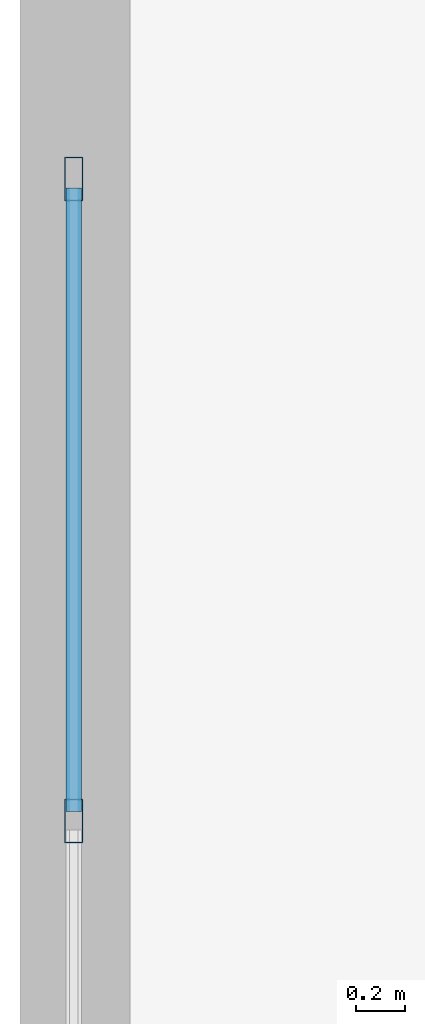
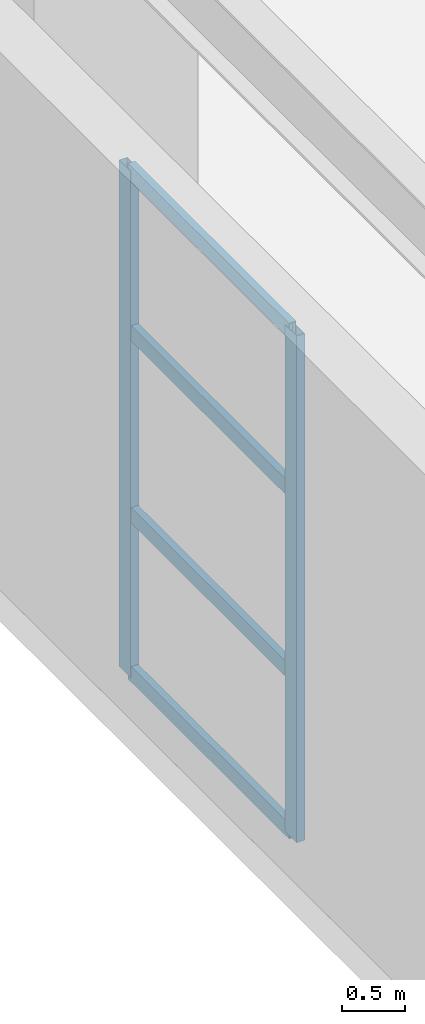
# One storey, part 12 of 34: 6 members, 1 element without a shape of its own.
"""IFC4 building model written with IfcOpenShell, lengths in metres."""

from ifc_helpers import new_model, si_unit, direction, frame, origin, origin_2d, place, context, subcontext, project, spatial, hollow_rectangle, extrude, material, layer, layer_set, material_profile, profile_set, type_object, element, aggregate, save


model = new_model("IFC4")

# Units and contexts
model_context = context("Model", 3, precision=1e-05, world=origin(), true_north=direction((0.0, 1.0)))
body_context = subcontext(model_context, "Body", "Model", "MODEL_VIEW")
ifc_project = project(units=[si_unit("LENGTHUNIT", "METRE"), si_unit("AREAUNIT", "SQUARE_METRE"), si_unit("VOLUMEUNIT", "CUBIC_METRE"), si_unit("PLANEANGLEUNIT", "RADIAN"), si_unit("MASSUNIT", "GRAM", prefix="KILO")], contexts=[model_context])

# Site, building, storey
site_placement = place(None, origin())
site = spatial("IfcSite", under=ifc_project, at=site_placement, CompositionType="ELEMENT")
building_placement = place(site_placement, origin())
building = spatial("IfcBuilding", under=site, at=building_placement, Name="Qiaolan Cultural Towers", CompositionType="ELEMENT")
storey_placement = place(building_placement, frame((0.0, 0.0, 16.5)))
storey = spatial("IfcBuildingStorey", under=building, at=storey_placement, Name="L03", CompositionType="ELEMENT", Elevation=16.5)

# Curtain wall, members
ifc_material_1 = material(Name="Unitized Anodized Aluminium Curtain Wall System", Category="aluminium")
ifc_layer = layer(ifc_material_1, 0.199951171875)
ifc_layer_set = layer_set([ifc_layer], Name="Unitized Anodized Aluminium Curtain Wall System")
curtain_wall_type = type_object("IfcCurtainWallType", Name="CWS-04", PredefinedType="NOTDEFINED", material=ifc_layer_set)
curtain_wall_placement = place(storey_placement, origin())
curtain_wall = element("IfcCurtainWall", 1, at=curtain_wall_placement, inside=storey, type_object=curtain_wall_type, Name="L03 West Exhibition Foyer Curtain Wall", PredefinedType="NOTDEFINED")
ifc_material_2 = material(Name="Extruded Aluminium 6063-T6", Category="aluminium")
ifc_material_profile_1 = material_profile(ifc_material_2, hollow_rectangle(XDim=0.074951171875, YDim=0.179931640625, WallThickness=0.00390625, at=origin_2d()), Name="CWM-180x75x4")
ifc_profile_set_1 = profile_set([ifc_material_profile_1], Name="Extruded Aluminium 6063-T6")
member_type_1 = type_object("IfcMemberType", Name="CWS-04-MUL", PredefinedType="MULLION", material=ifc_profile_set_1)
member_1_placement = place(storey_placement, frame((0.219970703125, 35.333251953125, 0.14990234375), z_axis=(0.0, 0.0, 1.0), x_axis=(-1.0, 0.0, 0.0)))
member_1 = element("IfcMember", 2, at=member_1_placement, type_object=member_type_1, Name="CW-4 mullion 3", PredefinedType="MULLION", context=body_context, shape_type="SweptSolid", body=[
    extrude(hollow_rectangle(XDim=0.074951171875, YDim=0.179931640625, WallThickness=0.00390625, at=origin_2d()), origin(), (0.0, 0.0, 1.0), 4.900146484375),
])
member_2_placement = place(storey_placement, frame((0.219970703125, 37.96240234375, 0.14990234375), z_axis=(0.0, 0.0, 1.0), x_axis=(-1.0, 0.0, 0.0)))
member_2 = element("IfcMember", 3, at=member_2_placement, type_object=member_type_1, Name="CW-4 mullion 4", PredefinedType="MULLION", context=body_context, shape_type="SweptSolid", body=[
    extrude(hollow_rectangle(XDim=0.074951171875, YDim=0.179931640625, WallThickness=0.00390625, at=origin_2d()), origin(), (0.0, 0.0, 1.0), 4.900146484375),
])
ifc_material_3 = material(Name="Extruded Aluminium 6063-T6", Category="aluminium")
ifc_material_profile_2 = material_profile(ifc_material_3, hollow_rectangle(XDim=0.06494140625, YDim=0.14990234375, WallThickness=0.00390625, at=origin_2d()), Name="CWT-150x65x4")
ifc_profile_set_2 = profile_set([ifc_material_profile_2], Name="Extruded Aluminium 6063-T6")
member_type_2 = type_object("IfcMemberType", Name="CWS-04-TRN", PredefinedType="USERDEFINED", material=ifc_profile_set_2)
member_3_placement = place(storey_placement, frame((0.219970703125, 35.370849609375, 0.1826171875), z_axis=(0.0, 1.0, 0.0), x_axis=(-1.0, 0.0, 0.0)))
member_3 = element("IfcMember", 4, at=member_3_placement, type_object=member_type_2, Name="CW-4 transom 3.1", ObjectType="TRANSOM", PredefinedType="USERDEFINED", context=body_context, shape_type="SweptSolid", body=[
    extrude(hollow_rectangle(XDim=0.06494140625, YDim=0.14990234375, WallThickness=0.00390625, at=origin_2d()), origin(), (0.0, 0.0, 1.0), 2.55419921875),
])
member_4_placement = place(storey_placement, frame((0.219970703125, 35.370849609375, 1.719970703125), z_axis=(0.0, 1.0, 0.0), x_axis=(-1.0, 0.0, 0.0)))
member_4 = element("IfcMember", 5, at=member_4_placement, type_object=member_type_2, Name="CW-4 transom 3.2", ObjectType="TRANSOM", PredefinedType="USERDEFINED", context=body_context, shape_type="SweptSolid", body=[
    extrude(hollow_rectangle(XDim=0.06494140625, YDim=0.14990234375, WallThickness=0.00390625, at=origin_2d()), origin(), (0.0, 0.0, 1.0), 2.55419921875),
])
member_5_placement = place(storey_placement, frame((0.219970703125, 35.370849609375, 3.47998046875), z_axis=(0.0, 1.0, 0.0), x_axis=(-1.0, 0.0, 0.0)))
member_5 = element("IfcMember", 6, at=member_5_placement, type_object=member_type_2, Name="CW-4 transom 3.3", ObjectType="TRANSOM", PredefinedType="USERDEFINED", context=body_context, shape_type="SweptSolid", body=[
    extrude(hollow_rectangle(XDim=0.06494140625, YDim=0.14990234375, WallThickness=0.00390625, at=origin_2d()), origin(), (0.0, 0.0, 1.0), 2.55419921875),
])
member_6_placement = place(storey_placement, frame((0.219970703125, 35.370849609375, 5.017578125), z_axis=(0.0, 1.0, 0.0), x_axis=(-1.0, 0.0, 0.0)))
member_6 = element("IfcMember", 7, at=member_6_placement, type_object=member_type_2, Name="CW-4 transom 3.4", ObjectType="TRANSOM", PredefinedType="USERDEFINED", context=body_context, shape_type="SweptSolid", body=[
    extrude(hollow_rectangle(XDim=0.06494140625, YDim=0.14990234375, WallThickness=0.00390625, at=origin_2d()), origin(), (0.0, 0.0, 1.0), 2.55419921875),
])
aggregate(curtain_wall, [member_1, member_2, member_3, member_4, member_5, member_6])

save(model, "model.ifc")
